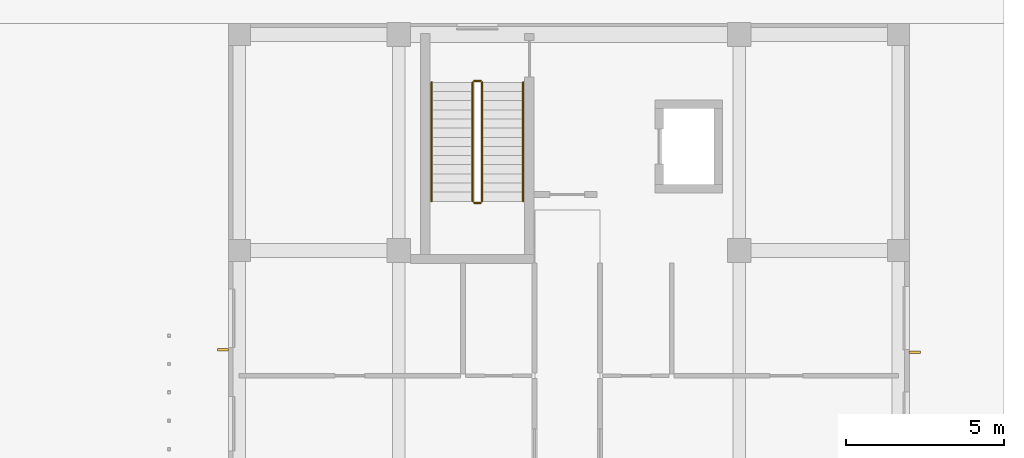
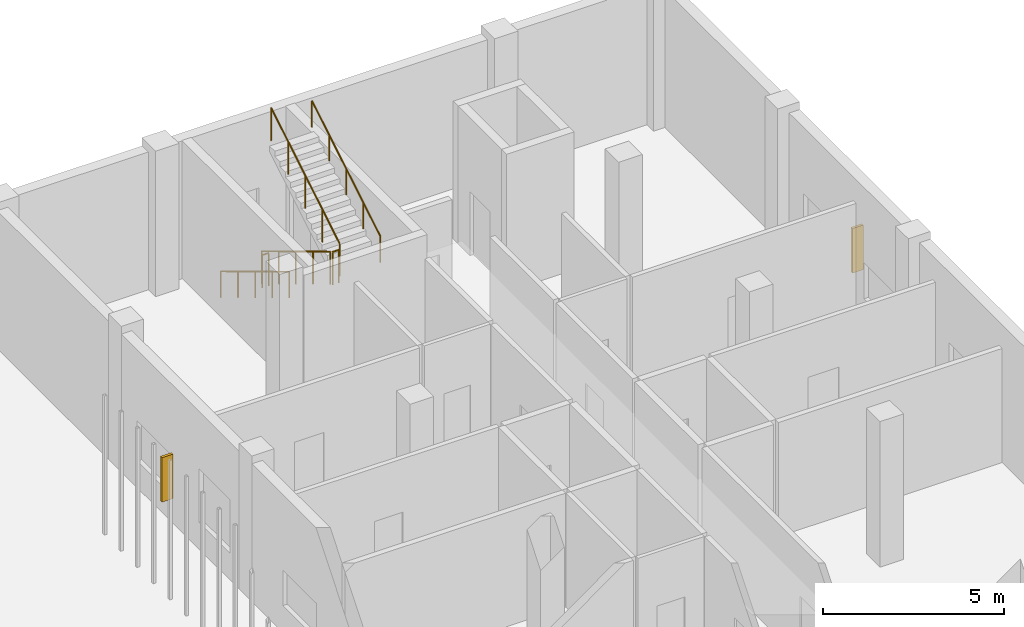
# One storey, part 83 of 85: 6 railings, 2 shading devices.
"""IFC4 building model written with IfcOpenShell, lengths in metres."""

import ifcopenshell
import ifcopenshell.guid

model = None  # the IFC model being written
_history = None  # IfcOwnerHistory: only IFC2X3 demands one
_inside = {}  # id of a spatial element -> (the spatial element, [elements in it])
_under = {}  # id of a project, library or spatial element -> (it, [spatial elements below it])
_declared = {}  # id of a project -> (the project, [libraries it declares])
_typed = {}  # id of a type object -> (the type object, [elements of that type])
_made_of = {}  # id of a material, layer set ... -> (it, [elements and type objects made of it])


def new_model(schema):
    """Start an empty IFC model of exactly this schema.

    Asked for "IFC4X3", IfcOpenShell would pick the latest addendum, in which some entities
    have other attributes; the version numbers below select the first issue.
    IFC2X3 requires an IfcOwnerHistory on every rooted entity: one is made here for all.
    """
    global model, _history
    if schema == "IFC4X3":
        model = ifcopenshell.file(schema_version=(4, 3, 0, 0))
    else:
        model = ifcopenshell.file(schema=schema)
    _inside.clear()
    _under.clear()
    _declared.clear()
    _typed.clear()
    _made_of.clear()
    _history = None
    if model.schema == "IFC2X3":
        org = make("IfcOrganization", Name="unknown")
        user = make(
            "IfcPersonAndOrganization",
            ThePerson=make("IfcPerson", FamilyName="unknown"),
            TheOrganization=org,
        )
        app = make(
            "IfcApplication",
            ApplicationDeveloper=org,
            Version="unknown",
            ApplicationFullName="unknown",
            ApplicationIdentifier="unknown",
        )
        _history = make(
            "IfcOwnerHistory",
            OwningUser=user,
            OwningApplication=app,
            ChangeAction="ADDED",
            CreationDate=0,
        )
    return model


def make(cls, **values):
    """One entity of the class cls with the attributes given. An attribute that is None is left unset."""
    return model.create_entity(
        cls, **{name: value for name, value in values.items() if value is not None}
    )


def rooted(cls, **values):
    """An entity with a GlobalId (a new one), such as an element, a storey or a relation."""
    return make(cls, GlobalId=ifcopenshell.guid.new(), OwnerHistory=_history, **values)


def si_unit(unit_type, name, prefix=None):
    """IfcSIUnit, for example si_unit("LENGTHUNIT", "METRE", prefix="MILLI")."""
    return make("IfcSIUnit", UnitType=unit_type, Prefix=prefix, Name=name)


def derived_unit(unit_type, elements):
    """IfcDerivedUnit: a product of units, each with its exponent."""
    return make(
        "IfcDerivedUnit",
        Elements=[
            make("IfcDerivedUnitElement", Unit=unit, Exponent=power)
            for unit, power in elements
        ],
        UnitType=unit_type,
    )


def assignment(units):
    """IfcUnitAssignment: the units of a project."""
    return None if units is None else make("IfcUnitAssignment", Units=units)


def point(xyz):
    """IfcCartesianPoint."""
    return None if xyz is None else make("IfcCartesianPoint", Coordinates=xyz)


def direction(xyz):
    """IfcDirection."""
    return None if xyz is None else make("IfcDirection", DirectionRatios=xyz)


def frame(location, z_axis=None, x_axis=None):
    """IfcAxis2Placement3D, a coordinate frame: its origin and axes. An axis left out is left unset."""
    return make(
        "IfcAxis2Placement3D",
        Location=point(location),
        Axis=direction(z_axis),
        RefDirection=direction(x_axis),
    )


def frame_2d(location, x_axis=None):
    """IfcAxis2Placement2D, a coordinate frame in the plane: its origin and x axis."""
    return make(
        "IfcAxis2Placement2D", Location=point(location), RefDirection=direction(x_axis)
    )


def origin():
    """The frame at (0, 0, 0) with its axes left unset."""
    return frame((0.0, 0.0, 0.0))


def origin_2d():
    """The frame at (0, 0) in the plane with its x axis left unset."""
    return frame_2d((0.0, 0.0))


def place(relative_to, where):
    """IfcLocalPlacement: puts the frame where relative to a parent placement (None: the world)."""
    return make(
        "IfcLocalPlacement", PlacementRelTo=relative_to, RelativePlacement=where
    )


def context(
    kind, dimensions, precision=None, world=None, true_north=None, identifier=None
):
    """IfcGeometricRepresentationContext, for example the 3D "Model" context."""
    return make(
        "IfcGeometricRepresentationContext",
        ContextIdentifier=identifier,
        ContextType=kind,
        CoordinateSpaceDimension=dimensions,
        Precision=precision,
        WorldCoordinateSystem=world,
        TrueNorth=true_north,
    )


def subcontext(parent, identifier, kind, view, scale=None):
    """IfcGeometricRepresentationSubContext, for example "Body" below "Model"."""
    return make(
        "IfcGeometricRepresentationSubContext",
        ContextIdentifier=identifier,
        ContextType=kind,
        ParentContext=parent,
        TargetScale=scale,
        TargetView=view,
    )


def project(units=None, contexts=None):
    """IfcProject with its units and contexts."""
    return rooted(
        "IfcProject",
        Name="project",
        RepresentationContexts=contexts,
        UnitsInContext=assignment(units),
    )


def spatial(cls, under=None, at=None, **own):
    """A site, building, storey or space (cls), placed at a placement, below another one or the project."""
    s = rooted(cls, ObjectPlacement=at, **own)
    if under is not None:
        _under.setdefault(under.id(), (under, []))[1].append(s)
    return s


def profile(cls, at=None, kind="AREA", **sizes):
    """A parametric profile (cls). Its sizes go by their IFC names, for example OverallWidth=200.0."""
    return make(cls, ProfileType=kind, Position=at, **sizes)


def rectangle(**sizes):
    """IfcRectangleProfileDef."""
    return profile("IfcRectangleProfileDef", **sizes)


def circle(**sizes):
    """IfcCircleProfileDef."""
    return profile("IfcCircleProfileDef", **sizes)


def extrude(swept, where, along, depth):
    """IfcExtrudedAreaSolid: the profile swept, set in the frame where, extruded along a direction by depth."""
    return make(
        "IfcExtrudedAreaSolid",
        SweptArea=swept,
        Position=where,
        ExtrudedDirection=direction(along),
        Depth=depth,
    )


def shape(context_of_items, identifier, shape_type, items):
    """IfcShapeRepresentation: the items that make up one representation, for example the "Body"."""
    return make(
        "IfcShapeRepresentation",
        ContextOfItems=context_of_items,
        RepresentationIdentifier=identifier,
        RepresentationType=shape_type,
        Items=items,
    )


def material(Name=None, Category=None):
    """IfcMaterial."""
    return make("IfcMaterial", Name=Name, Category=Category)


def made_of(thing, what):
    """Note that an element or type object is made of a material, layer set ...; save() writes the relation."""
    if what is not None:
        _made_of.setdefault(what.id(), (what, []))[1].append(thing)
    return thing


def type_object(cls, material=None, **own):
    """A type object (cls), such as IfcWallType, which elements share."""
    return made_of(rooted(cls, **own), material)


def element(
    cls,
    number,
    at=None,
    inside=None,
    cuts=None,
    type_object=None,
    material=None,
    context=None,
    identifier="Body",
    shape_type=None,
    held_by="IfcProductDefinitionShape",
    body=None,
    shapes=None,
    **own,
):
    """One element of the class cls, such as IfcWall. Its Tag is "e" and its number.

    at: its placement. inside: the storey or other place that contains it. cuts: it is an
    opening in that element (IfcRelVoidsElement). A single representation is given by context,
    identifier, shape_type and body (its items); several are given by shapes. held_by: the class
    of the entity that holds the representations. save() writes the other relations.
    """
    e = rooted(cls, Tag="e%d" % number, ObjectPlacement=at, **own)
    if body is not None:
        shapes = [shape(context, identifier, shape_type, body)]
    if shapes is not None:
        e.Representation = make(held_by, Representations=shapes)
    if inside is not None:
        _inside.setdefault(inside.id(), (inside, []))[1].append(e)
    if cuts is not None:
        rooted(
            "IfcRelVoidsElement", RelatingBuildingElement=cuts, RelatedOpeningElement=e
        )
    if type_object is not None:
        _typed.setdefault(type_object.id(), (type_object, []))[1].append(e)
    return made_of(e, material)


def aggregate(whole, parts):
    """IfcRelAggregates: a whole, such as a stair, and the parts it consists of."""
    return rooted("IfcRelAggregates", RelatingObject=whole, RelatedObjects=parts)


def save(model, path):
    """Write the relations noted so far, then the file.

    IfcRelAggregates (storeys below a building ...), IfcRelContainedInSpatialStructure (elements
    in a storey), IfcRelDefinesByType, IfcRelAssociatesMaterial and IfcRelDeclares: one each for
    every whole, place, type object, material and project.
    """
    for whole, parts in _under.values():
        aggregate(whole, parts)
    for where, things in _inside.values():
        rooted(
            "IfcRelContainedInSpatialStructure",
            RelatedElements=things,
            RelatingStructure=where,
        )
    for kind, things in _typed.values():
        rooted("IfcRelDefinesByType", RelatedObjects=things, RelatingType=kind)
    for what, things in _made_of.values():
        rooted("IfcRelAssociatesMaterial", RelatedObjects=things, RelatingMaterial=what)
    for by, libraries in _declared.values():
        rooted("IfcRelDeclares", RelatingContext=by, RelatedDefinitions=libraries)
    model.write(path)


model = new_model("IFC4")

# Units and contexts
model_context = context("Model", 3, precision=1e-05, world=origin(), true_north=direction((0.0, 1.0)))
body_context = subcontext(model_context, "Body", "Model", "MODEL_VIEW")
ifc_project = project(units=[si_unit("LENGTHUNIT", "METRE"), si_unit("AREAUNIT", "SQUARE_METRE"), si_unit("VOLUMEUNIT", "CUBIC_METRE"), si_unit("PLANEANGLEUNIT", "RADIAN"), si_unit("MASSUNIT", "GRAM", prefix="KILO"), derived_unit("THERMALTRANSMITTANCEUNIT", [(si_unit("MASSUNIT", "GRAM", prefix="KILO"), 1), (si_unit("TIMEUNIT", "SECOND"), -3), (si_unit("THERMODYNAMICTEMPERATUREUNIT", "KELVIN"), -1)])], contexts=[model_context])

# Site, building, storey
site_placement = place(None, origin())
site = spatial("IfcSite", under=ifc_project, at=site_placement, CompositionType="ELEMENT")
building_placement = place(site_placement, origin())
building = spatial("IfcBuilding", under=site, at=building_placement, Name="Ochrekiln Boulevard Commons", CompositionType="ELEMENT")
storey_placement = place(building_placement, origin())
storey = spatial("IfcBuildingStorey", under=building, at=storey_placement, Name="L00", CompositionType="ELEMENT", Elevation=0.0)

# Railings
ifc_material_1 = material(Name="Brushed stainless steel 316 tubular railing", Category="steel")
railing_type_1 = type_object("IfcRailingType", Name="RLG-HDR-900", PredefinedType="HANDRAIL", material=ifc_material_1)
railing_1_placement = place(storey_placement, frame((157.64990234375, 116.929931640625, 0.175048828125)))
element("IfcRailing", 1, at=railing_1_placement, inside=storey, type_object=railing_type_1, Name="L00 ST-B2 stair handrail 1", PredefinedType="HANDRAIL", context=body_context, shape_type="SweptSolid", body=[
    extrude(circle(Radius=0.02392578125, at=origin_2d()), frame((0.0, 0.0, 0.8759765625), z_axis=(0.0, -0.856198655849, 0.51664674752), x_axis=(1.0, 0.0, 0.0)), (0.0, 0.0, 1.0), 4.4033203125),
    extrude(circle(Radius=0.02099609375, at=origin_2d()), origin(), (0.0, 0.0, 1.0), 0.851806640625),
    extrude(circle(Radius=0.02099609375, at=origin_2d()), frame((0.0, -0.9423828125, 0.56884765625)), (0.0, 0.0, 1.0), 0.851806640625),
    extrude(circle(Radius=0.02099609375, at=origin_2d()), frame((0.0, -1.885009765625, 1.137451171875)), (0.0, 0.0, 1.0), 0.851806640625),
    extrude(circle(Radius=0.02099609375, at=origin_2d()), frame((0.0, -2.82763671875, 1.7060546875)), (0.0, 0.0, 1.0), 0.851806640625),
    extrude(circle(Radius=0.02099609375, at=origin_2d()), frame((0.0, -3.77001953125, 2.27490234375)), (0.0, 0.0, 1.0), 0.851806640625),
])
railing_2_placement = place(storey_placement, frame((160.550048828125, 113.159912109375, 2.625)))
element("IfcRailing", 2, at=railing_2_placement, inside=storey, type_object=railing_type_1, Name="L00 ST-B2 stair handrail 2", PredefinedType="HANDRAIL", context=body_context, shape_type="SweptSolid", body=[
    extrude(circle(Radius=0.02392578125, at=origin_2d()), frame((0.0, 0.0, 0.8759765625), z_axis=(0.0, 0.856198655849, 0.51664674752), x_axis=(-1.0, 0.0, 0.0)), (0.0, 0.0, 1.0), 4.4033203125),
    extrude(circle(Radius=0.02099609375, at=origin_2d()), origin(), (0.0, 0.0, 1.0), 0.851806640625),
    extrude(circle(Radius=0.02099609375, at=origin_2d()), frame((0.0, 0.9423828125, 0.56884765625)), (0.0, 0.0, 1.0), 0.851806640625),
    extrude(circle(Radius=0.02099609375, at=origin_2d()), frame((0.0, 1.885009765625, 1.137451171875)), (0.0, 0.0, 1.0), 0.851806640625),
    extrude(circle(Radius=0.02099609375, at=origin_2d()), frame((0.0, 2.82763671875, 1.7060546875)), (0.0, 0.0, 1.0), 0.851806640625),
    extrude(circle(Radius=0.02099609375, at=origin_2d()), frame((0.0, 3.77001953125, 2.27490234375)), (0.0, 0.0, 1.0), 0.851806640625),
])
railing_type_2 = type_object("IfcRailingType", Name="RLG-STR-1120", PredefinedType="BALUSTRADE", material=ifc_material_1)
railing_3_placement = place(storey_placement, frame((158.949951171875, 116.929931640625, 0.175048828125)))
element("IfcRailing", 3, at=railing_3_placement, inside=storey, type_object=railing_type_2, Name="L00 ST-B2 stair guard 1", PredefinedType="BALUSTRADE", context=body_context, shape_type="SweptSolid", body=[
    extrude(circle(Radius=0.02392578125, at=origin_2d()), frame((0.0, 0.0, 1.09619140625), z_axis=(0.0, -0.856198655849, 0.51664674752), x_axis=(1.0, 0.0, 0.0)), (0.0, 0.0, 1.0), 4.4033203125),
    extrude(circle(Radius=0.02099609375, at=origin_2d()), origin(), (0.0, 0.0, 1.0), 1.072021484375),
    extrude(circle(Radius=0.02099609375, at=origin_2d()), frame((0.0, -0.9423828125, 0.56884765625)), (0.0, 0.0, 1.0), 1.072021484375),
    extrude(circle(Radius=0.02099609375, at=origin_2d()), frame((0.0, -1.885009765625, 1.137451171875)), (0.0, 0.0, 1.0), 1.072021484375),
    extrude(circle(Radius=0.02099609375, at=origin_2d()), frame((0.0, -2.82763671875, 1.7060546875)), (0.0, 0.0, 1.0), 1.072021484375),
    extrude(circle(Radius=0.02099609375, at=origin_2d()), frame((0.0, -3.77001953125, 2.27490234375)), (0.0, 0.0, 1.0), 1.072021484375),
])
railing_4_placement = place(storey_placement, frame((159.0, 113.110107421875, 2.449951171875)))
element("IfcRailing", 4, at=railing_4_placement, inside=storey, type_object=railing_type_2, Name="L00 ST-B2 stair guard 2", PredefinedType="BALUSTRADE", context=body_context, shape_type="SweptSolid", body=[
    extrude(circle(Radius=0.02392578125, at=origin_2d()), frame((0.0, 0.0, 1.09619140625), z_axis=(1.0, 0.0, 0.0), x_axis=(0.0, 1.0, 0.0)), (0.0, 0.0, 1.0), 0.199951171875),
    extrude(circle(Radius=0.02099609375, at=origin_2d()), origin(), (0.0, 0.0, 1.0), 1.072021484375),
    extrude(circle(Radius=0.02099609375, at=origin_2d()), frame((0.199951171875, 0.0, 0.0)), (0.0, 0.0, 1.0), 1.072021484375),
])
railing_5_placement = place(storey_placement, frame((159.25, 113.159912109375, 2.625)))
element("IfcRailing", 5, at=railing_5_placement, inside=storey, type_object=railing_type_2, Name="L00 ST-B2 stair guard 3", PredefinedType="BALUSTRADE", context=body_context, shape_type="SweptSolid", body=[
    extrude(circle(Radius=0.02392578125, at=origin_2d()), frame((0.0, 0.0, 1.09619140625), z_axis=(0.0, 0.856198655849, 0.51664674752), x_axis=(-1.0, 0.0, 0.0)), (0.0, 0.0, 1.0), 4.4033203125),
    extrude(circle(Radius=0.02099609375, at=origin_2d()), origin(), (0.0, 0.0, 1.0), 1.072021484375),
    extrude(circle(Radius=0.02099609375, at=origin_2d()), frame((0.0, 0.9423828125, 0.56884765625)), (0.0, 0.0, 1.0), 1.072021484375),
    extrude(circle(Radius=0.02099609375, at=origin_2d()), frame((0.0, 1.885009765625, 1.137451171875)), (0.0, 0.0, 1.0), 1.072021484375),
    extrude(circle(Radius=0.02099609375, at=origin_2d()), frame((0.0, 2.82763671875, 1.7060546875)), (0.0, 0.0, 1.0), 1.072021484375),
    extrude(circle(Radius=0.02099609375, at=origin_2d()), frame((0.0, 3.77001953125, 2.27490234375)), (0.0, 0.0, 1.0), 1.072021484375),
])
railing_6_placement = place(storey_placement, frame((159.0, 116.97998046875, 0.0)))
element("IfcRailing", 6, at=railing_6_placement, inside=storey, type_object=railing_type_2, Name="L00 ST-B2 stair guard 4", PredefinedType="BALUSTRADE", context=body_context, shape_type="SweptSolid", body=[
    extrude(circle(Radius=0.02392578125, at=origin_2d()), frame((0.0, 0.0, 1.09619140625), z_axis=(1.0, 0.0, 0.0), x_axis=(0.0, 1.0, 0.0)), (0.0, 0.0, 1.0), 0.199951171875),
    extrude(circle(Radius=0.02099609375, at=origin_2d()), origin(), (0.0, 0.0, 1.0), 1.072021484375),
    extrude(circle(Radius=0.02099609375, at=origin_2d()), frame((0.199951171875, 0.0, 0.0)), (0.0, 0.0, 1.0), 1.072021484375),
])

# Shading devices
ifc_material_2 = material(Name="Glazed architectural terracotta ASTM C1405", Category="masonry")
shading_device_type = type_object("IfcShadingDeviceType", Name="SHD-FIN-TERRA", PredefinedType="JALOUSIE", material=ifc_material_2)
for number, where, z_axis, x_axis, name in (
    (7, (151.030029296875, 108.447998046875, 0.824951171875), (0.0, 0.0, 1.0), (1.0, 0.0, 0.0), "Terracotta Solar Shading Fin SF-01 (27)"),
    (8, (172.969970703125, 108.373046875, 0.89990234375), (0.0, 0.0, 1.0), (1.0, 0.0, 0.0), "Terracotta Solar Shading Fin SF-01 (28)"),
):
    element("IfcShadingDevice", number, at=place(storey_placement, frame(where, z_axis=z_axis, x_axis=x_axis)), inside=storey, type_object=shading_device_type, Name=name, PredefinedType="JALOUSIE", context=body_context, shape_type="SweptSolid", body=[
        extrude(rectangle(XDim=0.35009765625, YDim=0.080078125, at=origin_2d()), origin(), (0.0, 0.0, 1.0), 1.5),
    ])

save(model, "model.ifc")
